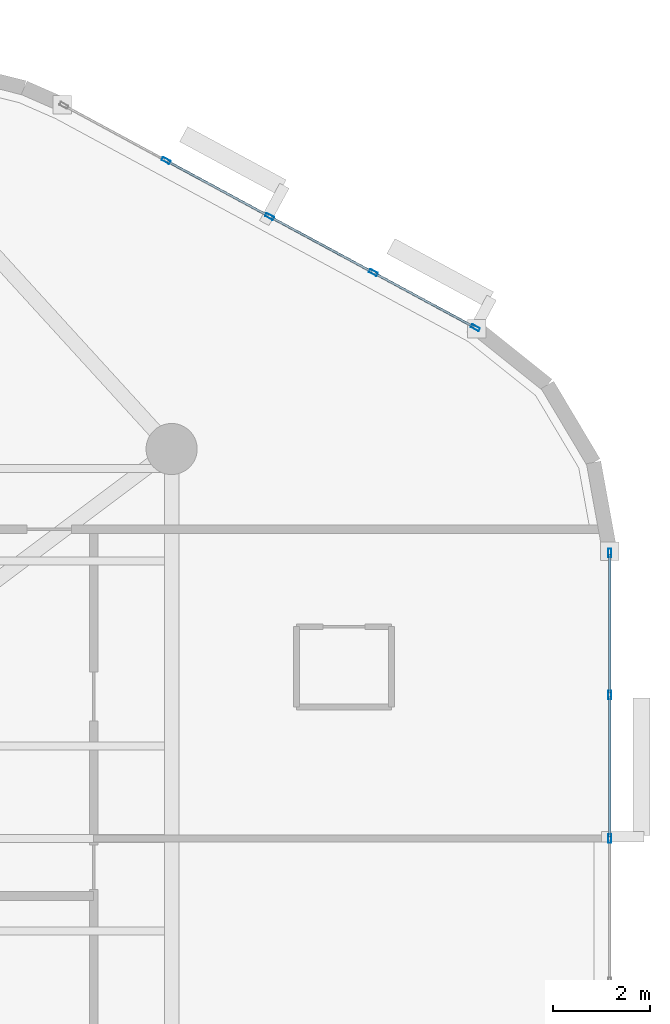
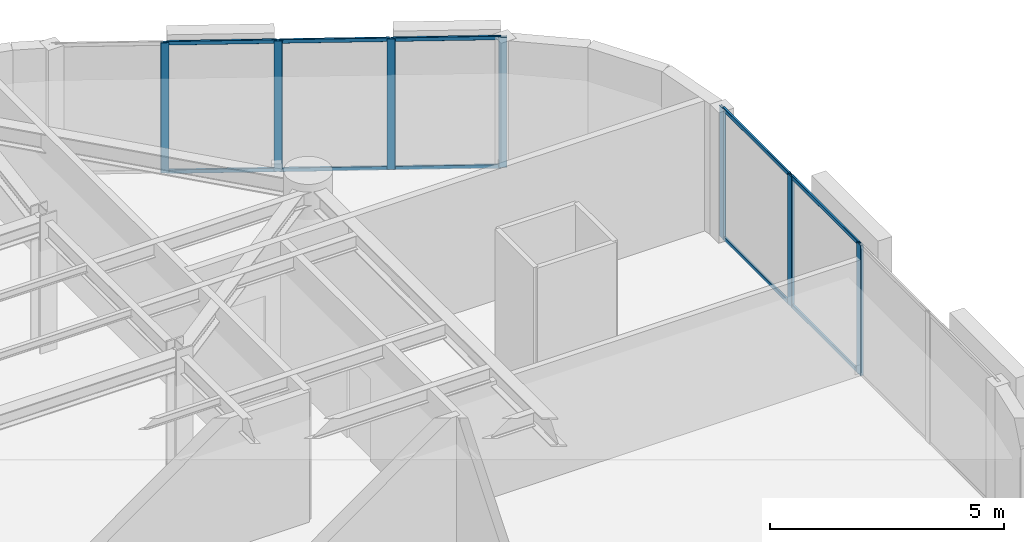
# One storey, part 6 of 13: 17 members, 2 elements without a shape of their own.
"""IFC4 building model written with IfcOpenShell, lengths in metres."""

from ifc_helpers import new_model, si_unit, direction, frame, origin, origin_2d, place, context, subcontext, project, spatial, hollow_rectangle, extrude, material, layer, layer_set, material_profile, profile_set, type_object, element, aggregate, save


model = new_model("IFC4")

# Units and contexts
model_context = context("Model", 3, precision=1e-05, world=origin(), true_north=direction((0.0, 1.0)))
body_context = subcontext(model_context, "Body", "Model", "MODEL_VIEW")
ifc_project = project(units=[si_unit("LENGTHUNIT", "METRE"), si_unit("AREAUNIT", "SQUARE_METRE"), si_unit("VOLUMEUNIT", "CUBIC_METRE"), si_unit("PLANEANGLEUNIT", "RADIAN"), si_unit("MASSUNIT", "GRAM", prefix="KILO")], contexts=[model_context])

# Site, building, storey
site_placement = place(None, origin())
site = spatial("IfcSite", under=ifc_project, at=site_placement, CompositionType="ELEMENT")
building_placement = place(site_placement, origin())
building = spatial("IfcBuilding", under=site, at=building_placement, Name="An Khanh Terracotta Commons", CompositionType="ELEMENT")
storey_placement = place(building_placement, frame((0.0, 0.0, 201.300048828125)))
storey = spatial("IfcBuildingStorey", under=building, at=storey_placement, Name="L52", CompositionType="ELEMENT", Elevation=201.300048828125)

# Curtain wall, members
ifc_material = material(Name="Anodised Aluminium 6063-T6", Category="aluminium")
ifc_layer = layer(ifc_material, 0.2099609375, Name="Anodised Aluminium 6063-T6")
ifc_layer_set = layer_set([ifc_layer], Name="Anodised Aluminium 6063-T6")
curtain_wall_type = type_object("IfcCurtainWallType", Name="CW-SYS-03", PredefinedType="USERDEFINED", material=ifc_layer_set)
curtain_wall_1_placement = place(storey_placement, origin())
curtain_wall_1 = element("IfcCurtainWall", 1, at=curtain_wall_1_placement, inside=storey, type_object=curtain_wall_type, Name="L52 CW-03 Unitised Curtain Wall CW-L52-12", ObjectType="UNITISED CURTAIN WALL", PredefinedType="USERDEFINED")
ifc_material_profile_1 = material_profile(ifc_material, hollow_rectangle(XDim=0.070068359375, YDim=0.179931640625, WallThickness=0.00390625, InnerFilletRadius=0.00390625, OuterFilletRadius=0.008056640625, at=origin_2d()), Name="RHS180x70x4")
ifc_profile_set_1 = profile_set([ifc_material_profile_1], Name="Anodised Aluminium 6063-T6")
member_type_1 = type_object("IfcMemberType", Name="CWM-RHS180x70x4", PredefinedType="MULLION", material=ifc_profile_set_1)
member_1_placement = place(storey_placement, frame((68.60009765625, 24.0, 0.0), z_axis=(0.0, 0.0, 1.0), x_axis=(-1.0, 0.0, 0.0)))
member_1 = element("IfcMember", 2, at=member_1_placement, type_object=member_type_1, Name="CW-03 mullion 3", PredefinedType="MULLION", context=body_context, shape_type="SweptSolid", body=[
    extrude(hollow_rectangle(XDim=0.070068359375, YDim=0.179931640625, WallThickness=0.00390625, InnerFilletRadius=0.00390625, OuterFilletRadius=0.008056640625, at=origin_2d()), origin(), (0.0, 0.0, 1.0), 3.39990234375),
])
member_2_placement = place(storey_placement, frame((68.60009765625, 26.949462890625, 0.0), z_axis=(0.0, 0.0, 1.0), x_axis=(-1.0, 0.0, 0.0)))
member_2 = element("IfcMember", 3, at=member_2_placement, type_object=member_type_1, Name="CW-03 mullion 4", PredefinedType="MULLION", context=body_context, shape_type="SweptSolid", body=[
    extrude(hollow_rectangle(XDim=0.070068359375, YDim=0.179931640625, WallThickness=0.00390625, InnerFilletRadius=0.00390625, OuterFilletRadius=0.008056640625, at=origin_2d()), origin(), (0.0, 0.0, 1.0), 3.39990234375),
])
member_3_placement = place(storey_placement, frame((68.60009765625, 29.864013671875, 0.0), z_axis=(0.0, 0.0, 1.0), x_axis=(-1.0, 0.0, 0.0)))
member_3 = element("IfcMember", 4, at=member_3_placement, type_object=member_type_1, Name="CW-03 mullion 5", PredefinedType="MULLION", context=body_context, shape_type="SweptSolid", body=[
    extrude(hollow_rectangle(XDim=0.070068359375, YDim=0.179931640625, WallThickness=0.00390625, InnerFilletRadius=0.00390625, OuterFilletRadius=0.008056640625, at=origin_2d()), origin(), (0.0, 0.0, 1.0), 3.39990234375),
])

curtain_wall_2_placement = place(storey_placement, origin())
curtain_wall_2 = element("IfcCurtainWall", 5, at=curtain_wall_2_placement, inside=storey, type_object=curtain_wall_type, Name="L52 CW-03 Unitised Curtain Wall CW-L52-16", ObjectType="UNITISED CURTAIN WALL", PredefinedType="USERDEFINED")
member_4_placement = place(storey_placement, frame((65.84130859375, 34.49072265625, 0.0), z_axis=(0.0, 0.0, 1.0), x_axis=(-0.47538088298, -0.879780095306, 0.0)))
member_4 = element("IfcMember", 6, at=member_4_placement, type_object=member_type_1, Name="CW-03 mullion 1", PredefinedType="MULLION", context=body_context, shape_type="SweptSolid", body=[
    extrude(hollow_rectangle(XDim=0.070068359375, YDim=0.179931640625, WallThickness=0.00390625, InnerFilletRadius=0.00390625, OuterFilletRadius=0.008056640625, at=origin_2d()), origin(), (0.0, 0.0, 1.0), 3.39990234375),
])
member_5_placement = place(storey_placement, frame((63.7431640625, 35.624267578125, 0.0), z_axis=(0.0, 0.0, 1.0), x_axis=(-0.47538088298, -0.879780095306, 0.0)))
member_5 = element("IfcMember", 7, at=member_5_placement, type_object=member_type_1, Name="CW-03 mullion 2", PredefinedType="MULLION", context=body_context, shape_type="SweptSolid", body=[
    extrude(hollow_rectangle(XDim=0.070068359375, YDim=0.179931640625, WallThickness=0.00390625, InnerFilletRadius=0.00390625, OuterFilletRadius=0.008056640625, at=origin_2d()), origin(), (0.0, 0.0, 1.0), 3.39990234375),
])
member_6_placement = place(storey_placement, frame((61.614501953125, 36.7744140625, 0.0), z_axis=(0.0, 0.0, 1.0), x_axis=(-0.47538088298, -0.879780095306, 0.0)))
member_6 = element("IfcMember", 8, at=member_6_placement, type_object=member_type_1, Name="CW-03 mullion 3", PredefinedType="MULLION", context=body_context, shape_type="SweptSolid", body=[
    extrude(hollow_rectangle(XDim=0.070068359375, YDim=0.179931640625, WallThickness=0.00390625, InnerFilletRadius=0.00390625, OuterFilletRadius=0.008056640625, at=origin_2d()), origin(), (0.0, 0.0, 1.0), 3.39990234375),
])
member_7_placement = place(storey_placement, frame((59.48583984375, 37.9248046875, 0.0), z_axis=(0.0, 0.0, 1.0), x_axis=(-0.47538088298, -0.879780095306, 0.0)))
member_7 = element("IfcMember", 9, at=member_7_placement, type_object=member_type_1, Name="CW-03 mullion 4", PredefinedType="MULLION", context=body_context, shape_type="SweptSolid", body=[
    extrude(hollow_rectangle(XDim=0.070068359375, YDim=0.179931640625, WallThickness=0.00390625, InnerFilletRadius=0.00390625, OuterFilletRadius=0.008056640625, at=origin_2d()), origin(), (0.0, 0.0, 1.0), 3.39990234375),
])

# Member
ifc_material_profile_2 = material_profile(ifc_material, hollow_rectangle(XDim=0.050048828125, YDim=0.10009765625, WallThickness=0.003173828125, InnerFilletRadius=0.003173828125, OuterFilletRadius=0.00634765625, at=origin_2d()), Name="RHS100x50x3.2")
ifc_profile_set_2 = profile_set([ifc_material_profile_2], Name="Anodised Aluminium 6063-T6")
member_type_2 = type_object("IfcMemberType", Name="CWT-RHS100x50x3.2", PredefinedType="USERDEFINED", material=ifc_profile_set_2)
member_8_placement = place(storey_placement, frame((68.60009765625, 24.034912109375, 0.02490234375), z_axis=(0.0, 1.0, 0.0), x_axis=(-1.0, 0.0, 0.0)))
member_8 = element("IfcMember", 10, at=member_8_placement, type_object=member_type_2, Name="CW-03 transom 3.1", ObjectType="TRANSOM", PredefinedType="USERDEFINED", context=body_context, shape_type="SweptSolid", body=[
    extrude(hollow_rectangle(XDim=0.050048828125, YDim=0.10009765625, WallThickness=0.003173828125, InnerFilletRadius=0.003173828125, OuterFilletRadius=0.00634765625, at=origin_2d()), origin(), (0.0, 0.0, 1.0), 2.879638671875),
])

member_9_placement = place(storey_placement, frame((68.60009765625, 24.034912109375, 3.375), z_axis=(0.0, 1.0, 0.0), x_axis=(-1.0, 0.0, 0.0)))
member_9 = element("IfcMember", 11, at=member_9_placement, type_object=member_type_2, Name="CW-03 transom 3.2", ObjectType="TRANSOM", PredefinedType="USERDEFINED", context=body_context, shape_type="SweptSolid", body=[
    extrude(hollow_rectangle(XDim=0.050048828125, YDim=0.10009765625, WallThickness=0.003173828125, InnerFilletRadius=0.003173828125, OuterFilletRadius=0.00634765625, at=origin_2d()), origin(), (0.0, 0.0, 1.0), 2.879638671875),
])

member_10_placement = place(storey_placement, frame((68.60009765625, 26.984619140625, 0.02490234375), z_axis=(0.0, 1.0, 0.0), x_axis=(-1.0, 0.0, 0.0)))
member_10 = element("IfcMember", 12, at=member_10_placement, type_object=member_type_2, Name="CW-03 transom 4.1", ObjectType="TRANSOM", PredefinedType="USERDEFINED", context=body_context, shape_type="SweptSolid", body=[
    extrude(hollow_rectangle(XDim=0.050048828125, YDim=0.10009765625, WallThickness=0.003173828125, InnerFilletRadius=0.003173828125, OuterFilletRadius=0.00634765625, at=origin_2d()), origin(), (0.0, 0.0, 1.0), 2.844482421875),
])

member_11_placement = place(storey_placement, frame((68.60009765625, 26.984619140625, 3.375), z_axis=(0.0, 1.0, 0.0), x_axis=(-1.0, 0.0, 0.0)))
member_11 = element("IfcMember", 13, at=member_11_placement, type_object=member_type_2, Name="CW-03 transom 4.2", ObjectType="TRANSOM", PredefinedType="USERDEFINED", context=body_context, shape_type="SweptSolid", body=[
    extrude(hollow_rectangle(XDim=0.050048828125, YDim=0.10009765625, WallThickness=0.003173828125, InnerFilletRadius=0.003173828125, OuterFilletRadius=0.00634765625, at=origin_2d()), origin(), (0.0, 0.0, 1.0), 2.844482421875),
])

aggregate(curtain_wall_1, [member_1, member_2, member_3, member_8, member_9, member_10, member_11])

member_12_placement = place(storey_placement, frame((65.810302734375, 34.50732421875, 0.02490234375), z_axis=(-0.879779245677, 0.475382455373, 0.0), x_axis=(-0.475382455373, -0.879779245677, 0.0)))
member_12 = element("IfcMember", 14, at=member_12_placement, type_object=member_type_2, Name="CW-03 transom 1.1", ObjectType="TRANSOM", PredefinedType="USERDEFINED", context=body_context, shape_type="SweptSolid", body=[
    extrude(hollow_rectangle(XDim=0.050048828125, YDim=0.10009765625, WallThickness=0.003173828125, InnerFilletRadius=0.003173828125, OuterFilletRadius=0.00634765625, at=origin_2d()), origin(), (0.0, 0.0, 1.0), 2.314697265625),
])

member_13_placement = place(storey_placement, frame((65.810302734375, 34.50732421875, 3.375), z_axis=(-0.879779245677, 0.475382455373, 0.0), x_axis=(-0.475382455373, -0.879779245677, 0.0)))
member_13 = element("IfcMember", 15, at=member_13_placement, type_object=member_type_2, Name="CW-03 transom 1.2", ObjectType="TRANSOM", PredefinedType="USERDEFINED", context=body_context, shape_type="SweptSolid", body=[
    extrude(hollow_rectangle(XDim=0.050048828125, YDim=0.10009765625, WallThickness=0.003173828125, InnerFilletRadius=0.003173828125, OuterFilletRadius=0.00634765625, at=origin_2d()), origin(), (0.0, 0.0, 1.0), 2.314697265625),
])

member_14_placement = place(storey_placement, frame((63.71240234375, 35.640869140625, 0.02490234375), z_axis=(-0.879782861449, 0.475375763686, 0.0), x_axis=(-0.475375763686, -0.879782861449, 0.0)))
member_14 = element("IfcMember", 16, at=member_14_placement, type_object=member_type_2, Name="CW-03 transom 2.1", ObjectType="TRANSOM", PredefinedType="USERDEFINED", context=body_context, shape_type="SweptSolid", body=[
    extrude(hollow_rectangle(XDim=0.050048828125, YDim=0.10009765625, WallThickness=0.003173828125, InnerFilletRadius=0.003173828125, OuterFilletRadius=0.00634765625, at=origin_2d()), origin(), (0.0, 0.0, 1.0), 2.349609375),
])

member_15_placement = place(storey_placement, frame((63.71240234375, 35.640869140625, 3.375), z_axis=(-0.879782861449, 0.475375763686, 0.0), x_axis=(-0.475375763686, -0.879782861449, 0.0)))
member_15 = element("IfcMember", 17, at=member_15_placement, type_object=member_type_2, Name="CW-03 transom 2.2", ObjectType="TRANSOM", PredefinedType="USERDEFINED", context=body_context, shape_type="SweptSolid", body=[
    extrude(hollow_rectangle(XDim=0.050048828125, YDim=0.10009765625, WallThickness=0.003173828125, InnerFilletRadius=0.003173828125, OuterFilletRadius=0.00634765625, at=origin_2d()), origin(), (0.0, 0.0, 1.0), 2.349609375),
])

member_16_placement = place(storey_placement, frame((61.583740234375, 36.791259765625, 0.02490234375), z_axis=(-0.879782861449, 0.475375763686, 0.0), x_axis=(-0.475375763686, -0.879782861449, 0.0)))
member_16 = element("IfcMember", 18, at=member_16_placement, type_object=member_type_2, Name="CW-03 transom 3.1", ObjectType="TRANSOM", PredefinedType="USERDEFINED", context=body_context, shape_type="SweptSolid", body=[
    extrude(hollow_rectangle(XDim=0.050048828125, YDim=0.10009765625, WallThickness=0.003173828125, InnerFilletRadius=0.003173828125, OuterFilletRadius=0.00634765625, at=origin_2d()), origin(), (0.0, 0.0, 1.0), 2.349609375),
])

member_17_placement = place(storey_placement, frame((61.583740234375, 36.791259765625, 3.375), z_axis=(-0.879782861449, 0.475375763686, 0.0), x_axis=(-0.475375763686, -0.879782861449, 0.0)))
member_17 = element("IfcMember", 19, at=member_17_placement, type_object=member_type_2, Name="CW-03 transom 3.2", ObjectType="TRANSOM", PredefinedType="USERDEFINED", context=body_context, shape_type="SweptSolid", body=[
    extrude(hollow_rectangle(XDim=0.050048828125, YDim=0.10009765625, WallThickness=0.003173828125, InnerFilletRadius=0.003173828125, OuterFilletRadius=0.00634765625, at=origin_2d()), origin(), (0.0, 0.0, 1.0), 2.349609375),
])

aggregate(curtain_wall_2, [member_4, member_5, member_6, member_7, member_12, member_13, member_14, member_15, member_16, member_17])

save(model, "model.ifc")
